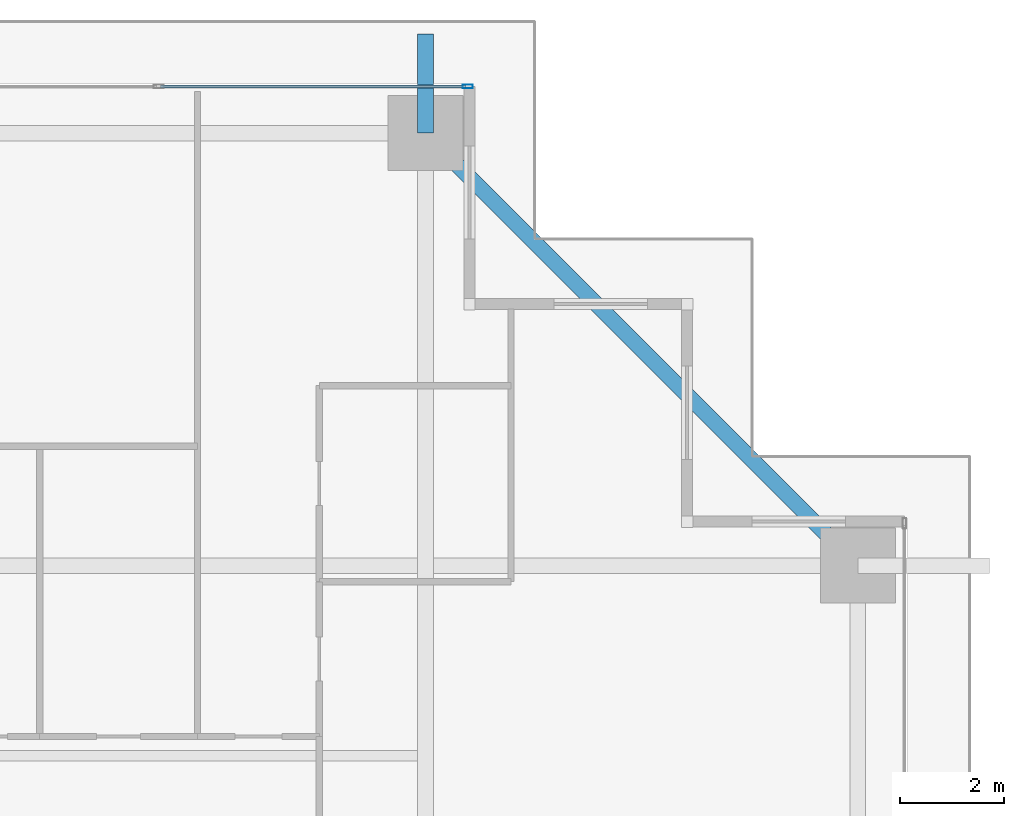
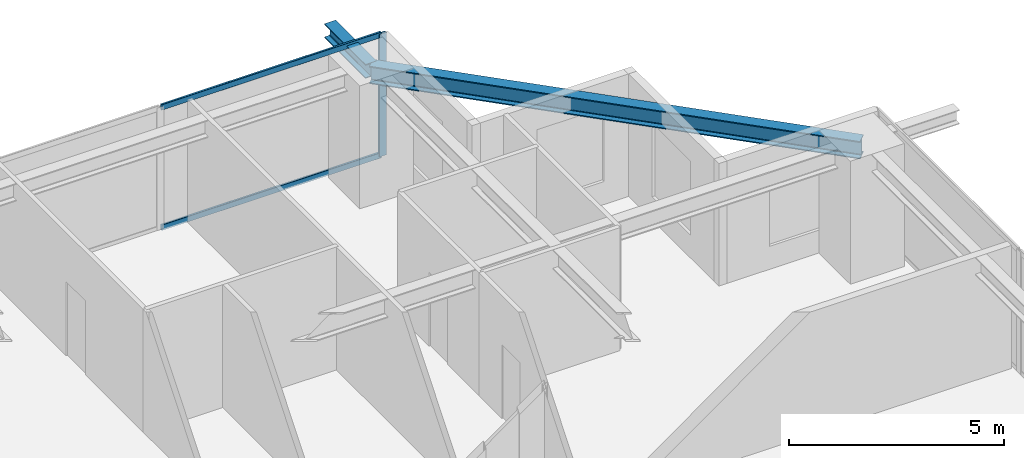
# One storey, part 25 of 41: 3 members, 2 beams, 1 element without a shape of its own.
"""IFC4 building model written with IfcOpenShell, lengths in metres."""

from ifc_helpers import new_model, si_unit, direction, frame, origin, origin_2d, place, context, subcontext, project, spatial, hollow_rectangle, i_section, extrude, source, transform, mapped, material, layer, layer_set, material_profile, profile_set, type_object, element, aggregate, save


model = new_model("IFC4")

# Units and contexts
model_context = context("Model", 3, precision=1e-05, world=origin(), true_north=direction((0.0, 1.0)))
body_context = subcontext(model_context, "Body", "Model", "MODEL_VIEW")
ifc_project = project(units=[si_unit("LENGTHUNIT", "METRE"), si_unit("AREAUNIT", "SQUARE_METRE"), si_unit("VOLUMEUNIT", "CUBIC_METRE"), si_unit("PLANEANGLEUNIT", "RADIAN"), si_unit("MASSUNIT", "GRAM", prefix="KILO")], contexts=[model_context])

# Site, building, storey
site_placement = place(None, origin())
site = spatial("IfcSite", under=ifc_project, at=site_placement, CompositionType="ELEMENT")
building_placement = place(site_placement, origin())
building = spatial("IfcBuilding", under=site, at=building_placement, Name="Serunith Strait Residences", CompositionType="ELEMENT")
storey_placement = place(building_placement, frame((0.0, 0.0, 75.449951171875)))
storey = spatial("IfcBuildingStorey", under=building, at=storey_placement, Name="L18", CompositionType="ELEMENT", Elevation=75.449951171875)

# Beams
ifc_material_1 = material(Name="Steel S355J2", Category="steel")
ifc_material_profile_1 = material_profile(ifc_material_1, i_section(OverallWidth=0.300048828125, OverallDepth=0.5, WebThickness=0.014404296875, FlangeThickness=0.028076171875, FilletRadius=0.027099609375, at=origin_2d()), Name="HEB 500")
ifc_profile_set_1 = profile_set([ifc_material_profile_1], Name="Steel S355J2")
beam_type_1 = type_object("IfcBeamType", Name="BM-HEB500", PredefinedType="BEAM", material=ifc_profile_set_1)
shared_shape_1 = source(origin(), body_context, "Body", "SweptSolid", [
    extrude(i_section(OverallWidth=0.300048828125, OverallDepth=0.5, WebThickness=0.014404296875, FlangeThickness=0.028076171875, FilletRadius=0.027099609375, at=origin_2d()), origin(), (0.0, 0.0, 1.0), 11.80859375),
])
beam_1_placement = place(storey_placement, frame((57.89990234375, 40.949951171875, 3.20703125), z_axis=(-0.707096443746, 0.707117118476, 0.0), x_axis=(-0.707117118476, -0.707096443746, 0.0)))
element("IfcBeam", 1, at=beam_1_placement, inside=storey, type_object=beam_type_1, Name="L18 Perimeter Ring Beam 08", PredefinedType="BEAM", context=body_context, shape_type="MappedRepresentation", body=[
    mapped(shared_shape_1, transform((0.0, 0.0, 0.0), scale=1.0)),
])
ifc_material_profile_2 = material_profile(ifc_material_1, i_section(OverallWidth=0.300048828125, OverallDepth=0.39990234375, WebThickness=0.013427734375, FlangeThickness=0.02392578125, FilletRadius=0.027099609375, at=origin_2d()), Name="HEB 400")
ifc_profile_set_2 = profile_set([ifc_material_profile_2], Name="Steel S355J2")
beam_type_2 = type_object("IfcBeamType", Name="BM-HEB400", PredefinedType="BEAM", material=ifc_profile_set_2)
shared_shape_2 = source(origin(), body_context, "Body", "SweptSolid", [
    extrude(i_section(OverallWidth=0.300048828125, OverallDepth=0.39990234375, WebThickness=0.013427734375, FlangeThickness=0.02392578125, FilletRadius=0.027099609375, at=origin_2d()), origin(), (0.0, 0.0, 1.0), 1.909912109375),
])
beam_2_placement = place(storey_placement, frame((49.550048828125, 49.300048828125, 3.257080078125), z_axis=(0.0, 1.0, 0.0), x_axis=(-1.0, 0.0, 0.0)))
element("IfcBeam", 2, at=beam_2_placement, inside=storey, type_object=beam_type_2, Name="L19 Cantilevered Balcony Rib TC-N4", PredefinedType="BEAM", context=body_context, shape_type="MappedRepresentation", body=[
    mapped(shared_shape_2, transform((0.0, 0.0, 0.0), scale=1.0)),
])

# Curtain wall, members
ifc_material_2 = material(Name="Pale-Champagne Anodised Aluminium", Category="aluminium")
ifc_layer = layer(ifc_material_2, 0.199951171875, Name="Pale-Champagne Anodised Aluminium")
ifc_layer_set = layer_set([ifc_layer], Name="Pale-Champagne Anodised Aluminium")
curtain_wall_type = type_object("IfcCurtainWallType", Name="CW-SYS1", PredefinedType="NOTDEFINED", material=ifc_layer_set)
curtain_wall_placement = place(storey_placement, origin())
curtain_wall = element("IfcCurtainWall", 3, at=curtain_wall_placement, inside=storey, type_object=curtain_wall_type, Name="L18 N Unitised Fritted Curtain Wall", PredefinedType="NOTDEFINED")
ifc_material_profile_3 = material_profile(ifc_material_2, hollow_rectangle(XDim=0.070068359375, YDim=0.199951171875, WallThickness=0.00390625, InnerFilletRadius=0.006103515625, OuterFilletRadius=0.010009765625, at=origin_2d()), Name="ALU 200x70x4")
ifc_profile_set_3 = profile_set([ifc_material_profile_3], Name="Pale-Champagne Anodised Aluminium")
member_type_1 = type_object("IfcMemberType", Name="CW-SYS1-MULL", PredefinedType="MULLION", material=ifc_profile_set_3)
shared_shape_3 = source(origin(), body_context, "Body", "SweptSolid", [
    extrude(hollow_rectangle(XDim=0.070068359375, YDim=0.199951171875, WallThickness=0.00390625, InnerFilletRadius=0.006103515625, OuterFilletRadius=0.010009765625, at=origin_2d()), origin(), (0.0, 0.0, 1.0), 3.47509765625),
])
member_1_placement = place(storey_placement, frame((50.364990234375, 50.199951171875, 0.0), z_axis=(0.0, 0.0, 1.0), x_axis=(0.0, -1.0, 0.0)))
member_1 = element("IfcMember", 4, at=member_1_placement, type_object=member_type_1, Name="CW-1 mullion 1", PredefinedType="MULLION", context=body_context, shape_type="MappedRepresentation", body=[
    mapped(shared_shape_3, transform((0.0, 0.0, 0.0), scale=1.0)),
])
ifc_material_profile_4 = material_profile(ifc_material_2, hollow_rectangle(XDim=0.06005859375, YDim=0.159912109375, WallThickness=0.00341796875, InnerFilletRadius=0.00537109375, OuterFilletRadius=0.0087890625, at=origin_2d()), Name="ALU 160x60x3.5")
ifc_profile_set_4 = profile_set([ifc_material_profile_4], Name="Pale-Champagne Anodised Aluminium")
member_type_2 = type_object("IfcMemberType", Name="CW-SYS1-TRAN", PredefinedType="USERDEFINED", material=ifc_profile_set_4)
shared_shape_4 = source(origin(), body_context, "Body", "SweptSolid", [
    extrude(hollow_rectangle(XDim=0.06005859375, YDim=0.159912109375, WallThickness=0.00341796875, InnerFilletRadius=0.00537109375, OuterFilletRadius=0.0087890625, at=origin_2d()), origin(), (0.0, 0.0, 1.0), 5.89501953125),
])
member_2_placement = place(storey_placement, frame((50.330078125, 50.199951171875, 0.030029296875), z_axis=(-1.0, 0.0, 0.0), x_axis=(0.0, -1.0, 0.0)))
member_2 = element("IfcMember", 5, at=member_2_placement, type_object=member_type_2, Name="CW-1 transom 1.1", ObjectType="TRANSOM", PredefinedType="USERDEFINED", context=body_context, shape_type="MappedRepresentation", body=[
    mapped(shared_shape_4, transform((0.0, 0.0, 0.0), scale=1.0)),
])
member_3_placement = place(storey_placement, frame((50.330078125, 50.199951171875, 3.445068359375), z_axis=(-1.0, 0.0, 0.0), x_axis=(0.0, -1.0, 0.0)))
member_3 = element("IfcMember", 6, at=member_3_placement, type_object=member_type_2, Name="CW-1 transom 1.2", ObjectType="TRANSOM", PredefinedType="USERDEFINED", context=body_context, shape_type="MappedRepresentation", body=[
    mapped(shared_shape_4, transform((0.0, 0.0, 0.0), scale=1.0)),
])
aggregate(curtain_wall, [member_1, member_2, member_3])

save(model, "model.ifc")
